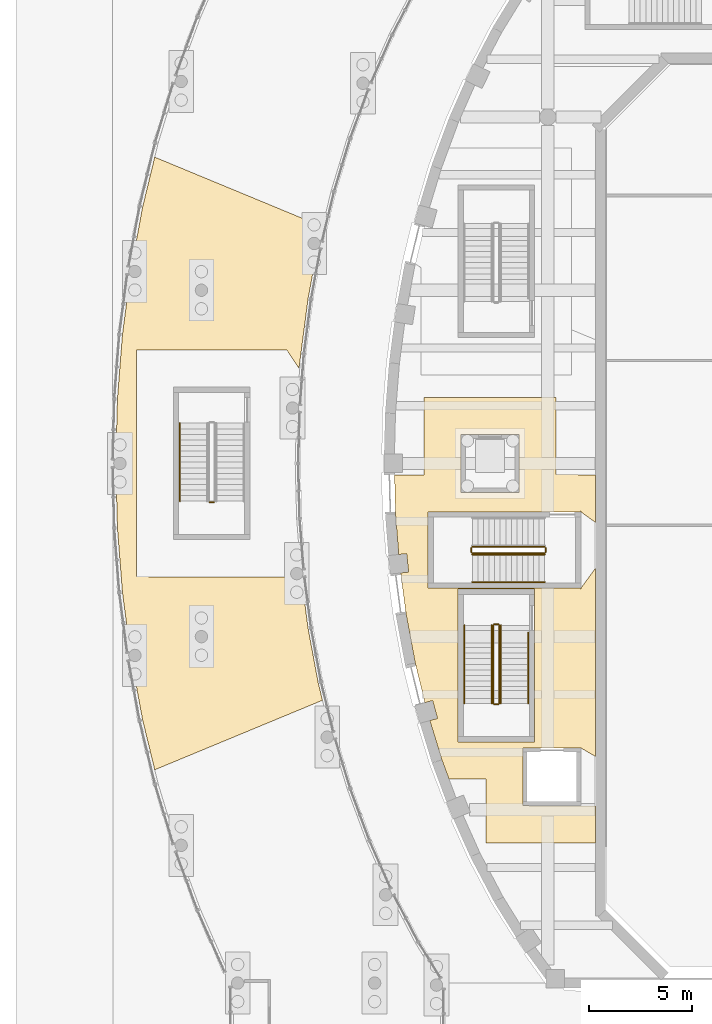
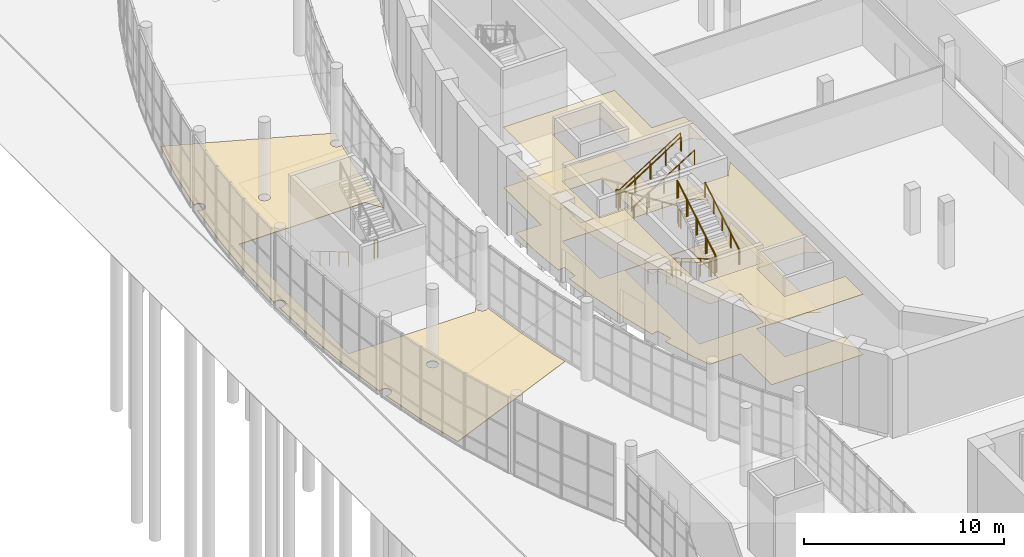
# One storey, part 92 of 110: 16 railings, 3 coverings.
"""IFC4 building model written with IfcOpenShell, lengths in metres."""

from ifc_helpers import new_model, si_unit, direction, frame, origin, origin_2d, place, context, subcontext, project, spatial, polyline, circle, outline, extrude, material, layer, layer_set, type_object, element, save


model = new_model("IFC4")

# Units and contexts
model_context = context("Model", 3, precision=1e-05, world=origin(), true_north=direction((0.0, 1.0)))
body_context = subcontext(model_context, "Body", "Model", "MODEL_VIEW")
ifc_project = project(units=[si_unit("LENGTHUNIT", "METRE"), si_unit("AREAUNIT", "SQUARE_METRE"), si_unit("VOLUMEUNIT", "CUBIC_METRE"), si_unit("PLANEANGLEUNIT", "RADIAN"), si_unit("MASSUNIT", "GRAM", prefix="KILO")], contexts=[model_context])

# Site, building, storey
site_placement = place(None, origin())
site = spatial("IfcSite", under=ifc_project, at=site_placement, CompositionType="ELEMENT")
building_placement = place(site_placement, origin())
building = spatial("IfcBuilding", under=site, at=building_placement, Name="Larchfold Concert Hall", CompositionType="ELEMENT")
storey_placement = place(building_placement, origin())
storey = spatial("IfcBuildingStorey", under=building, at=storey_placement, Name="L00", CompositionType="ELEMENT", Elevation=0.0)

# Coverings
ifc_material_1 = material(Name="Mineral fibre ceiling tile")
ifc_layer_1 = layer(ifc_material_1, 0.02001953125)
ifc_layer_set_1 = layer_set([ifc_layer_1], Name="Mineral fibre ceiling tile")
covering_type_1 = type_object("IfcCoveringType", Name="Ceiling mineral fibre tile 20", PredefinedType="CEILING", material=ifc_layer_set_1)
covering_1_placement = place(storey_placement, frame((0.0, 0.0, 3.68017578125)))
element("IfcCovering", 1, at=covering_1_placement, inside=storey, type_object=covering_type_1, Name="Ceiling Undercroft Escape Corridor 09", PredefinedType="CEILING", context=body_context, shape_type="SweptSolid", body=[
    extrude(outline(polyline([(19.800048828125, 87.800048828125), (19.791015625, 84.050048828125), (18.364501953125, 84.050048828125), (18.413330078125, 82.164794921875), (18.568359375, 80.18505859375), (18.954345703125, 80.225341796875), (19.048095703125, 79.330322265625), (18.662109375, 79.289794921875), (18.92138671875, 77.321044921875), (19.3681640625, 74.927490234375), (19.839599609375, 72.999267578125), (20.212890625, 73.101806640625), (20.451171875, 72.234130859375), (20.078125, 72.131591796875), (20.65869140625, 70.234130859375), (21.00634765625, 69.300048828125), (22.798583984375, 69.295166015625), (22.800048828125, 66.199951171875), (28.10009765625, 66.199951171875), (28.10009765625, 67.994384765625), (24.60009765625, 68.0), (24.60009765625, 70.800048828125), (27.387939453125, 70.800048828125), (27.387939453125, 70.81103515625), (28.10009765625, 70.3935546875), (28.10009765625, 79.50830078125), (27.409912109375, 78.559326171875), (27.409912109375, 78.509033203125), (27.389892578125, 78.509033203125), (27.389892578125, 78.550048828125), (20.0, 78.550048828125), (20.0, 82.25), (27.388916015625, 82.25), (27.388916015625, 82.294189453125), (27.408935546875, 82.294189453125), (27.408935546875, 82.246826171875), (28.10009765625, 81.744140625), (28.10009765625, 84.050048828125), (26.201416015625, 84.054931640625), (26.199951171875, 87.800048828125), (19.800048828125, 87.800048828125)]), holes=[polyline([(21.449951171875, 78.5), (25.14990234375, 78.5), (25.14990234375, 71.10009765625), (21.449951171875, 71.10009765625), (21.449951171875, 78.5)]), polyline([(21.60009765625, 83.199951171875), (21.60009765625, 86.0), (24.39990234375, 86.0), (24.39990234375, 83.199951171875), (21.60009765625, 83.199951171875)])]), origin(), (0.0, 0.0, 1.0), 0.02001953125),
])
ifc_material_2 = material(Name="Polished terrazzo")
ifc_layer_2 = layer(ifc_material_2, 0.0400390625)
ifc_layer_set_2 = layer_set([ifc_layer_2], Name="Polished terrazzo")
covering_type_2 = type_object("IfcCoveringType", Name="Floor finish terrazzo 40", PredefinedType="FLOORING", material=ifc_layer_set_2)
covering_2_placement = place(storey_placement, origin())
element("IfcCovering", 2, at=covering_2_placement, inside=storey, type_object=covering_type_2, Name="Floor finish Winter Garden Concourse West", PredefinedType="FLOORING", context=body_context, shape_type="SweptSolid", body=[
    extrude(outline(polyline([(5.168212890625, 78.366455078125), (5.54541015625, 75.484619140625), (5.59033203125, 75.528076171875), (5.623046875, 75.5498046875), (5.6953125, 75.579833984375), (5.77294921875, 75.590087890625), (5.8505859375, 75.579833984375), (5.9228515625, 75.5498046875), (5.985107421875, 75.502197265625), (6.03271484375, 75.43994140625), (6.050048828125, 75.40478515625), (6.0703125, 75.3291015625), (6.072998046875, 75.2900390625), (6.062744140625, 75.21240234375), (6.03271484375, 75.14013671875), (5.985107421875, 75.077880859375), (5.9228515625, 75.0302734375), (5.8505859375, 75.000244140625), (5.77294921875, 74.989990234375), (5.6953125, 75.000244140625), (5.616455078125, 75.03466796875), (6.1494140625, 72.16064453125), (6.736572265625, 69.742919921875), (14.870849609375, 73.1142578125), (14.66015625, 73.9814453125), (14.17138671875, 76.616455078125), (13.85205078125, 79.06201171875), (13.8076171875, 79.01904296875), (13.77490234375, 78.997314453125), (13.70263671875, 78.96728515625), (13.625, 78.95703125), (13.54736328125, 78.96728515625), (13.47509765625, 78.997314453125), (13.4423828125, 79.01904296875), (13.386962890625, 79.074462890625), (13.347900390625, 79.142333984375), (13.32763671875, 79.218017578125), (13.324951171875, 79.257080078125), (13.335205078125, 79.334716796875), (13.365234375, 79.406982421875), (13.412841796875, 79.46923828125), (13.47509765625, 79.516845703125), (13.54736328125, 79.546875), (13.625, 79.55712890625), (13.70263671875, 79.546875), (13.73974609375, 79.5341796875), (13.79443359375, 79.50390625), (13.732177734375, 79.980712890625), (13.14111328125, 79.099853515625), (5.8505859375, 79.10595703125), (5.8505859375, 90.093994140625), (13.14111328125, 90.10009765625), (13.732177734375, 89.219482421875), (14.17138671875, 92.583740234375), (14.6220703125, 95.013671875), (14.544677734375, 94.980224609375), (14.467041015625, 94.969970703125), (14.389404296875, 94.980224609375), (14.317138671875, 95.01025390625), (14.2548828125, 95.057861328125), (14.207275390625, 95.1201171875), (14.17724609375, 95.1923828125), (14.1669921875, 95.27001953125), (14.169677734375, 95.30908203125), (14.18994140625, 95.384765625), (14.22900390625, 95.45263671875), (14.284423828125, 95.508056640625), (14.317138671875, 95.52978515625), (14.389404296875, 95.559814453125), (14.427978515625, 95.5673828125), (14.506103515625, 95.5673828125), (14.581787109375, 95.547119140625), (14.649658203125, 95.508056640625), (14.7138671875, 95.439453125), (14.870849609375, 96.0859375), (6.736083984375, 99.455322265625), (6.1494140625, 97.03955078125), (5.616455078125, 94.16650390625), (5.6953125, 94.20068359375), (5.77294921875, 94.2109375), (5.8505859375, 94.20068359375), (5.9228515625, 94.170654296875), (5.95556640625, 94.14892578125), (6.010986328125, 94.093505859375), (6.050048828125, 94.025634765625), (6.062744140625, 93.988525390625), (6.072998046875, 93.910888671875), (6.062744140625, 93.833251953125), (6.03271484375, 93.760986328125), (5.985107421875, 93.69873046875), (5.9228515625, 93.651123046875), (5.8505859375, 93.62109375), (5.77294921875, 93.61083984375), (5.6953125, 93.62109375), (5.623046875, 93.651123046875), (5.59033203125, 93.6728515625), (5.54541015625, 93.71630859375), (5.168212890625, 90.833740234375), (4.92626953125, 87.71826171875), (4.8515625, 84.827880859375), (4.93115234375, 84.877197265625), (5.0068359375, 84.8974609375), (5.0849609375, 84.8974609375), (5.16064453125, 84.877197265625), (5.19580078125, 84.85986328125), (5.258056640625, 84.812255859375), (5.3056640625, 84.75), (5.335693359375, 84.677734375), (5.345947265625, 84.60009765625), (5.335693359375, 84.5224609375), (5.3056640625, 84.4501953125), (5.258056640625, 84.387939453125), (5.228515625, 84.362060546875), (5.16064453125, 84.322998046875), (5.0849609375, 84.302734375), (5.0068359375, 84.302734375), (4.93115234375, 84.322998046875), (4.8515625, 84.372314453125), (4.92626953125, 81.48193359375), (5.168212890625, 78.366455078125)]), holes=[polyline([(8.8173828125, 75.9619140625), (8.761962890625, 76.017333984375), (8.740234375, 76.050048828125), (8.710205078125, 76.122314453125), (8.70263671875, 76.160888671875), (8.699951171875, 76.199951171875), (8.710205078125, 76.277587890625), (8.740234375, 76.349853515625), (8.761962890625, 76.382568359375), (8.8173828125, 76.43798828125), (8.85009765625, 76.459716796875), (8.92236328125, 76.48974609375), (8.9609375, 76.497314453125), (9.0390625, 76.497314453125), (9.07763671875, 76.48974609375), (9.14990234375, 76.459716796875), (9.1826171875, 76.43798828125), (9.238037109375, 76.382568359375), (9.259765625, 76.349853515625), (9.289794921875, 76.277587890625), (9.29736328125, 76.239013671875), (9.300048828125, 76.199951171875), (9.289794921875, 76.122314453125), (9.259765625, 76.050048828125), (9.238037109375, 76.017333984375), (9.1826171875, 75.9619140625), (9.14990234375, 75.940185546875), (9.07763671875, 75.91015625), (9.0390625, 75.902587890625), (8.9609375, 75.902587890625), (8.92236328125, 75.91015625), (8.85009765625, 75.940185546875), (8.8173828125, 75.9619140625)]), polyline([(8.8173828125, 92.761962890625), (8.761962890625, 92.8173828125), (8.740234375, 92.85009765625), (8.710205078125, 92.92236328125), (8.70263671875, 92.9609375), (8.699951171875, 93.0), (8.710205078125, 93.07763671875), (8.740234375, 93.14990234375), (8.761962890625, 93.1826171875), (8.8173828125, 93.238037109375), (8.85009765625, 93.259765625), (8.92236328125, 93.289794921875), (8.9609375, 93.29736328125), (9.0390625, 93.29736328125), (9.07763671875, 93.289794921875), (9.14990234375, 93.259765625), (9.1826171875, 93.238037109375), (9.238037109375, 93.1826171875), (9.259765625, 93.14990234375), (9.289794921875, 93.07763671875), (9.29736328125, 93.0390625), (9.300048828125, 93.0), (9.289794921875, 92.92236328125), (9.259765625, 92.85009765625), (9.238037109375, 92.8173828125), (9.1826171875, 92.761962890625), (9.14990234375, 92.740234375), (9.07763671875, 92.710205078125), (9.0390625, 92.70263671875), (8.9609375, 92.70263671875), (8.92236328125, 92.710205078125), (8.85009765625, 92.740234375), (8.8173828125, 92.761962890625)])]), origin(), (0.0, 0.0, 1.0), 0.0400390625),
])
ifc_material_3 = material(Name="Linoleum sheet")
ifc_layer_3 = layer(ifc_material_3, 0.02001953125)
ifc_layer_set_3 = layer_set([ifc_layer_3], Name="Linoleum sheet")
covering_type_3 = type_object("IfcCoveringType", Name="Floor finish vinyl 20", PredefinedType="FLOORING", material=ifc_layer_set_3)
covering_3_placement = place(storey_placement, origin())
element("IfcCovering", 3, at=covering_3_placement, inside=storey, type_object=covering_type_3, Name="Floor finish Undercroft Escape Corridor 09", PredefinedType="FLOORING", context=body_context, shape_type="SweptSolid", body=[
    extrude(outline(polyline([(19.800048828125, 87.800048828125), (19.791015625, 84.050048828125), (18.364501953125, 84.050048828125), (18.413330078125, 82.164794921875), (18.568359375, 80.18505859375), (18.954345703125, 80.225341796875), (19.048095703125, 79.330322265625), (18.662109375, 79.289794921875), (18.92138671875, 77.321044921875), (19.3681640625, 74.927490234375), (19.839599609375, 72.999267578125), (20.212890625, 73.101806640625), (20.451171875, 72.234130859375), (20.078125, 72.131591796875), (20.65869140625, 70.234130859375), (21.00634765625, 69.300048828125), (22.798583984375, 69.295166015625), (22.800048828125, 66.199951171875), (28.10009765625, 66.199951171875), (28.10009765625, 67.994384765625), (24.60009765625, 68.0), (24.60009765625, 70.800048828125), (27.387939453125, 70.800048828125), (27.387939453125, 70.81103515625), (28.10009765625, 70.3935546875), (28.10009765625, 79.50830078125), (27.409912109375, 78.559326171875), (27.409912109375, 78.509033203125), (27.389892578125, 78.509033203125), (27.389892578125, 78.550048828125), (20.0, 78.550048828125), (20.0, 82.25), (27.388916015625, 82.25), (27.388916015625, 82.294189453125), (27.408935546875, 82.294189453125), (27.408935546875, 82.246826171875), (28.10009765625, 81.744140625), (28.10009765625, 84.050048828125), (26.201416015625, 84.054931640625), (26.199951171875, 87.800048828125), (19.800048828125, 87.800048828125)]), holes=[polyline([(21.449951171875, 78.5), (25.14990234375, 78.5), (25.14990234375, 71.10009765625), (21.449951171875, 71.10009765625), (21.449951171875, 78.5)]), polyline([(21.60009765625, 83.199951171875), (21.60009765625, 86.0), (24.39990234375, 86.0), (24.39990234375, 83.199951171875), (21.60009765625, 83.199951171875)])]), origin(), (0.0, 0.0, 1.0), 0.02001953125),
])

# Railings
ifc_material_4 = material(Name="Stainless steel balustrade", Category="steel")
railing_type_1 = type_object("IfcRailingType", Name="Stair guard 1100", PredefinedType="GUARDRAIL", material=ifc_material_4)
railing_1_placement = place(storey_placement, frame((23.14990234375, 76.75, 0.159912109375)))
element("IfcRailing", 4, at=railing_1_placement, inside=storey, type_object=railing_type_1, Name="Guard GR0021", PredefinedType="GUARDRAIL", context=body_context, shape_type="SweptSolid", body=[
    extrude(circle(Radius=0.02392578125, at=origin_2d()), frame((0.0, 0.0, 1.076171875), z_axis=(0.0, -0.860294241299, 0.509797821089), x_axis=(1.0, 0.0, 0.0)), (0.0, 0.0, 1.0), 4.393798828125),
    extrude(circle(Radius=0.02099609375, at=origin_2d()), origin(), (0.0, 0.0, 1.0), 1.052001953125),
    extrude(circle(Radius=0.02099609375, at=origin_2d()), frame((0.0, -0.945068359375, 0.56005859375)), (0.0, 0.0, 1.0), 1.052001953125),
    extrude(circle(Radius=0.02099609375, at=origin_2d()), frame((0.0, -1.89013671875, 1.1201171875)), (0.0, 0.0, 1.0), 1.052001953125),
    extrude(circle(Radius=0.02099609375, at=origin_2d()), frame((0.0, -2.8349609375, 1.679931640625)), (0.0, 0.0, 1.0), 1.052001953125),
    extrude(circle(Radius=0.02099609375, at=origin_2d()), frame((0.0, -3.780029296875, 2.239990234375)), (0.0, 0.0, 1.0), 1.052001953125),
])
railing_2_placement = place(storey_placement, frame((23.199951171875, 72.919921875, 2.39990234375)))
element("IfcRailing", 5, at=railing_2_placement, inside=storey, type_object=railing_type_1, Name="Guard GR0022", PredefinedType="GUARDRAIL", context=body_context, shape_type="SweptSolid", body=[
    extrude(circle(Radius=0.02392578125, at=origin_2d()), frame((0.0, 0.0, 1.076171875), z_axis=(1.0, 0.0, 0.0), x_axis=(0.0, 1.0, 0.0)), (0.0, 0.0, 1.0), 0.199951171875),
    extrude(circle(Radius=0.02099609375, at=origin_2d()), origin(), (0.0, 0.0, 1.0), 1.052001953125),
    extrude(circle(Radius=0.02099609375, at=origin_2d()), frame((0.199951171875, 0.0, 0.0)), (0.0, 0.0, 1.0), 1.052001953125),
])
railing_3_placement = place(storey_placement, frame((23.449951171875, 72.969970703125, 2.56005859375)))
element("IfcRailing", 6, at=railing_3_placement, inside=storey, type_object=railing_type_1, Name="Guard GR0023", PredefinedType="GUARDRAIL", context=body_context, shape_type="SweptSolid", body=[
    extrude(circle(Radius=0.02392578125, at=origin_2d()), frame((0.0, 0.0, 1.076171875), z_axis=(0.0, 0.860294241299, 0.509797821089), x_axis=(-1.0, 0.0, 0.0)), (0.0, 0.0, 1.0), 4.393798828125),
    extrude(circle(Radius=0.02099609375, at=origin_2d()), origin(), (0.0, 0.0, 1.0), 1.052001953125),
    extrude(circle(Radius=0.02099609375, at=origin_2d()), frame((0.0, 0.945068359375, 0.56005859375)), (0.0, 0.0, 1.0), 1.052001953125),
    extrude(circle(Radius=0.02099609375, at=origin_2d()), frame((0.0, 1.89013671875, 1.1201171875)), (0.0, 0.0, 1.0), 1.052001953125),
    extrude(circle(Radius=0.02099609375, at=origin_2d()), frame((0.0, 2.8349609375, 1.679931640625)), (0.0, 0.0, 1.0), 1.052001953125),
    extrude(circle(Radius=0.02099609375, at=origin_2d()), frame((0.0, 3.780029296875, 2.239990234375)), (0.0, 0.0, 1.0), 1.052001953125),
])
railing_4_placement = place(storey_placement, frame((23.199951171875, 76.800048828125, 0.0)))
element("IfcRailing", 7, at=railing_4_placement, inside=storey, type_object=railing_type_1, Name="Guard GR0024", PredefinedType="GUARDRAIL", context=body_context, shape_type="SweptSolid", body=[
    extrude(circle(Radius=0.02392578125, at=origin_2d()), frame((0.0, 0.0, 1.076171875), z_axis=(1.0, 0.0, 0.0), x_axis=(0.0, 1.0, 0.0)), (0.0, 0.0, 1.0), 0.199951171875),
    extrude(circle(Radius=0.02099609375, at=origin_2d()), origin(), (0.0, 0.0, 1.0), 1.052001953125),
    extrude(circle(Radius=0.02099609375, at=origin_2d()), frame((0.199951171875, 0.0, 0.0)), (0.0, 0.0, 1.0), 1.052001953125),
])
railing_5_placement = place(storey_placement, frame((25.64990234375, 80.550048828125, 0.17138671875)))
element("IfcRailing", 8, at=railing_5_placement, inside=storey, type_object=railing_type_1, Name="Guard GR0029", PredefinedType="GUARDRAIL", context=body_context, shape_type="SweptSolid", body=[
    extrude(circle(Radius=0.02392578125, at=origin_2d()), frame((0.0, 0.0, 1.076171875), z_axis=(-0.844219563411, 0.0, 0.53599750816), x_axis=(0.0, -1.0, 0.0)), (0.0, 0.0, 1.0), 4.15771484375),
    extrude(circle(Radius=0.02099609375, at=origin_2d()), origin(), (0.0, 0.0, 1.0), 1.052001953125),
    extrude(circle(Radius=0.02099609375, at=origin_2d()), frame((-0.87744140625, 0.0, 0.55712890625)), (0.0, 0.0, 1.0), 1.052001953125),
    extrude(circle(Radius=0.02099609375, at=origin_2d()), frame((-1.7548828125, 0.0, 1.1142578125)), (0.0, 0.0, 1.0), 1.052001953125),
    extrude(circle(Radius=0.02099609375, at=origin_2d()), frame((-2.632568359375, 0.0, 1.67138671875)), (0.0, 0.0, 1.0), 1.052001953125),
    extrude(circle(Radius=0.02099609375, at=origin_2d()), frame((-3.510009765625, 0.0, 2.228515625)), (0.0, 0.0, 1.0), 1.052001953125),
])
railing_6_placement = place(storey_placement, frame((22.08984375, 80.5, 2.39990234375)))
element("IfcRailing", 9, at=railing_6_placement, inside=storey, type_object=railing_type_1, Name="Guard GR0030", PredefinedType="GUARDRAIL", context=body_context, shape_type="SweptSolid", body=[
    extrude(circle(Radius=0.02392578125, at=origin_2d()), frame((0.0, 0.0, 1.076171875), z_axis=(0.0, -1.0, 0.0), x_axis=(1.0, 0.0, 0.0)), (0.0, 0.0, 1.0), 0.199951171875),
    extrude(circle(Radius=0.02099609375, at=origin_2d()), origin(), (0.0, 0.0, 1.0), 1.052001953125),
    extrude(circle(Radius=0.02099609375, at=origin_2d()), frame((0.0, -0.199951171875, 0.0)), (0.0, 0.0, 1.0), 1.052001953125),
])
railing_7_placement = place(storey_placement, frame((22.139892578125, 80.25, 2.571533203125)))
element("IfcRailing", 10, at=railing_7_placement, inside=storey, type_object=railing_type_1, Name="Guard GR0031", PredefinedType="GUARDRAIL", context=body_context, shape_type="SweptSolid", body=[
    extrude(circle(Radius=0.02392578125, at=origin_2d()), frame((0.0, 0.0, 1.076171875), z_axis=(0.844219563411, 0.0, 0.53599750816), x_axis=(0.0, 1.0, 0.0)), (0.0, 0.0, 1.0), 4.15771484375),
    extrude(circle(Radius=0.02099609375, at=origin_2d()), origin(), (0.0, 0.0, 1.0), 1.052001953125),
    extrude(circle(Radius=0.02099609375, at=origin_2d()), frame((0.87744140625, 0.0, 0.55712890625)), (0.0, 0.0, 1.0), 1.052001953125),
    extrude(circle(Radius=0.02099609375, at=origin_2d()), frame((1.7548828125, 0.0, 1.1142578125)), (0.0, 0.0, 1.0), 1.052001953125),
    extrude(circle(Radius=0.02099609375, at=origin_2d()), frame((2.632568359375, 0.0, 1.67138671875)), (0.0, 0.0, 1.0), 1.052001953125),
    extrude(circle(Radius=0.02099609375, at=origin_2d()), frame((3.510009765625, 0.0, 2.228515625)), (0.0, 0.0, 1.0), 1.052001953125),
])
railing_8_placement = place(storey_placement, frame((25.699951171875, 80.5, 0.0)))
element("IfcRailing", 11, at=railing_8_placement, inside=storey, type_object=railing_type_1, Name="Guard GR0032", PredefinedType="GUARDRAIL", context=body_context, shape_type="SweptSolid", body=[
    extrude(circle(Radius=0.02392578125, at=origin_2d()), frame((0.0, 0.0, 1.076171875), z_axis=(0.0, -1.0, 0.0), x_axis=(1.0, 0.0, 0.0)), (0.0, 0.0, 1.0), 0.199951171875),
    extrude(circle(Radius=0.02099609375, at=origin_2d()), origin(), (0.0, 0.0, 1.0), 1.052001953125),
    extrude(circle(Radius=0.02099609375, at=origin_2d()), frame((0.0, -0.199951171875, 0.0)), (0.0, 0.0, 1.0), 1.052001953125),
])
railing_9_placement = place(storey_placement, frame((9.39990234375, 82.719970703125, 2.39990234375)))
element("IfcRailing", 12, at=railing_9_placement, inside=storey, type_object=railing_type_1, Name="Guard GR0098", PredefinedType="GUARDRAIL", context=body_context, shape_type="SweptSolid", body=[
    extrude(circle(Radius=0.02392578125, at=origin_2d()), frame((0.0, 0.0, 1.076171875), z_axis=(1.0, 0.0, 0.0), x_axis=(0.0, 1.0, 0.0)), (0.0, 0.0, 1.0), 0.199951171875),
    extrude(circle(Radius=0.02099609375, at=origin_2d()), origin(), (0.0, 0.0, 1.0), 1.052001953125),
    extrude(circle(Radius=0.02099609375, at=origin_2d()), frame((0.199951171875, 0.0, 0.0)), (0.0, 0.0, 1.0), 1.052001953125),
])
ifc_material_5 = material(Name="Stainless steel handrail", Category="steel")
railing_type_2 = type_object("IfcRailingType", Name="Stair handrail 900", PredefinedType="HANDRAIL", material=ifc_material_5)
railing_10_placement = place(storey_placement, frame((21.75, 76.75, 0.159912109375)))
element("IfcRailing", 13, at=railing_10_placement, inside=storey, type_object=railing_type_2, Name="Handrail HR0017", PredefinedType="HANDRAIL", context=body_context, shape_type="SweptSolid", body=[
    extrude(circle(Radius=0.02392578125, at=origin_2d()), frame((0.0, 0.0, 0.8759765625), z_axis=(0.0, -0.860294241299, 0.509797821089), x_axis=(1.0, 0.0, 0.0)), (0.0, 0.0, 1.0), 4.393798828125),
    extrude(circle(Radius=0.02099609375, at=origin_2d()), origin(), (0.0, 0.0, 1.0), 0.851806640625),
    extrude(circle(Radius=0.02099609375, at=origin_2d()), frame((0.0, -0.945068359375, 0.56005859375)), (0.0, 0.0, 1.0), 0.851806640625),
    extrude(circle(Radius=0.02099609375, at=origin_2d()), frame((0.0, -1.89013671875, 1.1201171875)), (0.0, 0.0, 1.0), 0.851806640625),
    extrude(circle(Radius=0.02099609375, at=origin_2d()), frame((0.0, -2.8349609375, 1.679931640625)), (0.0, 0.0, 1.0), 0.851806640625),
    extrude(circle(Radius=0.02099609375, at=origin_2d()), frame((0.0, -3.780029296875, 2.239990234375)), (0.0, 0.0, 1.0), 0.851806640625),
])
railing_11_placement = place(storey_placement, frame((24.85009765625, 72.969970703125, 2.56005859375)))
element("IfcRailing", 14, at=railing_11_placement, inside=storey, type_object=railing_type_2, Name="Handrail HR0018", PredefinedType="HANDRAIL", context=body_context, shape_type="SweptSolid", body=[
    extrude(circle(Radius=0.02392578125, at=origin_2d()), frame((0.0, 0.0, 0.8759765625), z_axis=(0.0, 0.860300485727, 0.509787283342), x_axis=(-1.0, 0.0, 0.0)), (0.0, 0.0, 1.0), 3.98681640625),
    extrude(circle(Radius=0.02099609375, at=origin_2d()), origin(), (0.0, 0.0, 1.0), 0.851806640625),
    extrude(circle(Radius=0.02099609375, at=origin_2d()), frame((0.0, 0.857421875, 0.508056640625)), (0.0, 0.0, 1.0), 0.851806640625),
    extrude(circle(Radius=0.02099609375, at=origin_2d()), frame((0.0, 1.71484375, 1.01611328125)), (0.0, 0.0, 1.0), 0.851806640625),
    extrude(circle(Radius=0.02099609375, at=origin_2d()), frame((0.0, 2.572509765625, 1.5244140625)), (0.0, 0.0, 1.0), 0.851806640625),
    extrude(circle(Radius=0.02099609375, at=origin_2d()), frame((0.0, 3.429931640625, 2.032470703125)), (0.0, 0.0, 1.0), 0.851806640625),
])
railing_12_placement = place(storey_placement, frame((23.079833984375, 76.75, 0.159912109375)))
element("IfcRailing", 15, at=railing_12_placement, inside=storey, type_object=railing_type_2, Name="Handrail HR0019", PredefinedType="HANDRAIL", context=body_context, shape_type="SweptSolid", body=[
    extrude(circle(Radius=0.02392578125, at=origin_2d()), frame((0.0, 0.0, 0.8759765625), z_axis=(0.0, -0.860294241299, 0.509797821089), x_axis=(1.0, 0.0, 0.0)), (0.0, 0.0, 1.0), 4.393798828125),
    extrude(circle(Radius=0.02099609375, at=origin_2d()), origin(), (0.0, 0.0, 1.0), 0.851806640625),
    extrude(circle(Radius=0.02099609375, at=origin_2d()), frame((0.0, -0.945068359375, 0.56005859375)), (0.0, 0.0, 1.0), 0.851806640625),
    extrude(circle(Radius=0.02099609375, at=origin_2d()), frame((0.0, -1.89013671875, 1.1201171875)), (0.0, 0.0, 1.0), 0.851806640625),
    extrude(circle(Radius=0.02099609375, at=origin_2d()), frame((0.0, -2.8349609375, 1.679931640625)), (0.0, 0.0, 1.0), 0.851806640625),
    extrude(circle(Radius=0.02099609375, at=origin_2d()), frame((0.0, -3.780029296875, 2.239990234375)), (0.0, 0.0, 1.0), 0.851806640625),
])
railing_13_placement = place(storey_placement, frame((23.52001953125, 72.969970703125, 2.56005859375)))
element("IfcRailing", 16, at=railing_13_placement, inside=storey, type_object=railing_type_2, Name="Handrail HR0020", PredefinedType="HANDRAIL", context=body_context, shape_type="SweptSolid", body=[
    extrude(circle(Radius=0.02392578125, at=origin_2d()), frame((0.0, 0.0, 0.8759765625), z_axis=(0.0, 0.860294241299, 0.509797821089), x_axis=(-1.0, 0.0, 0.0)), (0.0, 0.0, 1.0), 4.393798828125),
    extrude(circle(Radius=0.02099609375, at=origin_2d()), origin(), (0.0, 0.0, 1.0), 0.851806640625),
    extrude(circle(Radius=0.02099609375, at=origin_2d()), frame((0.0, 0.945068359375, 0.56005859375)), (0.0, 0.0, 1.0), 0.851806640625),
    extrude(circle(Radius=0.02099609375, at=origin_2d()), frame((0.0, 1.89013671875, 1.1201171875)), (0.0, 0.0, 1.0), 0.851806640625),
    extrude(circle(Radius=0.02099609375, at=origin_2d()), frame((0.0, 2.8349609375, 1.679931640625)), (0.0, 0.0, 1.0), 0.851806640625),
    extrude(circle(Radius=0.02099609375, at=origin_2d()), frame((0.0, 3.780029296875, 2.239990234375)), (0.0, 0.0, 1.0), 0.851806640625),
])
for number, where, name in (
    (17, (22.139892578125, 78.85009765625, 2.571533203125), "Handrail HR0026"),
    (18, (22.139892578125, 80.179931640625, 2.571533203125), "Handrail HR0028"),
):
    element("IfcRailing", number, at=place(storey_placement, frame(where)), inside=storey, type_object=railing_type_2, Name=name, PredefinedType="HANDRAIL", context=body_context, shape_type="SweptSolid", body=[
        extrude(circle(Radius=0.02392578125, at=origin_2d()), frame((0.0, 0.0, 0.8759765625), z_axis=(0.844219563411, 0.0, 0.53599750816), x_axis=(0.0, 1.0, 0.0)), (0.0, 0.0, 1.0), 4.15771484375),
        extrude(circle(Radius=0.02099609375, at=origin_2d()), origin(), (0.0, 0.0, 1.0), 0.851806640625),
        extrude(circle(Radius=0.02099609375, at=origin_2d()), frame((0.87744140625, 0.0, 0.55712890625)), (0.0, 0.0, 1.0), 0.851806640625),
        extrude(circle(Radius=0.02099609375, at=origin_2d()), frame((1.7548828125, 0.0, 1.1142578125)), (0.0, 0.0, 1.0), 0.851806640625),
        extrude(circle(Radius=0.02099609375, at=origin_2d()), frame((2.632568359375, 0.0, 1.67138671875)), (0.0, 0.0, 1.0), 0.851806640625),
        extrude(circle(Radius=0.02099609375, at=origin_2d()), frame((3.510009765625, 0.0, 2.228515625)), (0.0, 0.0, 1.0), 0.851806640625),
    ])
railing_14_placement = place(storey_placement, frame((7.949951171875, 86.550048828125, 0.159912109375)))
element("IfcRailing", 19, at=railing_14_placement, inside=storey, type_object=railing_type_2, Name="Handrail HR0093", PredefinedType="HANDRAIL", context=body_context, shape_type="SweptSolid", body=[
    extrude(circle(Radius=0.02392578125, at=origin_2d()), frame((0.0, 0.0, 0.8759765625), z_axis=(0.0, -0.860294241299, 0.509797821089), x_axis=(1.0, 0.0, 0.0)), (0.0, 0.0, 1.0), 4.393798828125),
    extrude(circle(Radius=0.02099609375, at=origin_2d()), origin(), (0.0, 0.0, 1.0), 0.851806640625),
    extrude(circle(Radius=0.02099609375, at=origin_2d()), frame((0.0, -0.945068359375, 0.56005859375)), (0.0, 0.0, 1.0), 0.851806640625),
    extrude(circle(Radius=0.02099609375, at=origin_2d()), frame((0.0, -1.89013671875, 1.1201171875)), (0.0, 0.0, 1.0), 0.851806640625),
    extrude(circle(Radius=0.02099609375, at=origin_2d()), frame((0.0, -2.8349609375, 1.679931640625)), (0.0, 0.0, 1.0), 0.851806640625),
    extrude(circle(Radius=0.02099609375, at=origin_2d()), frame((0.0, -3.780029296875, 2.239990234375)), (0.0, 0.0, 1.0), 0.851806640625),
])

save(model, "model.ifc")
